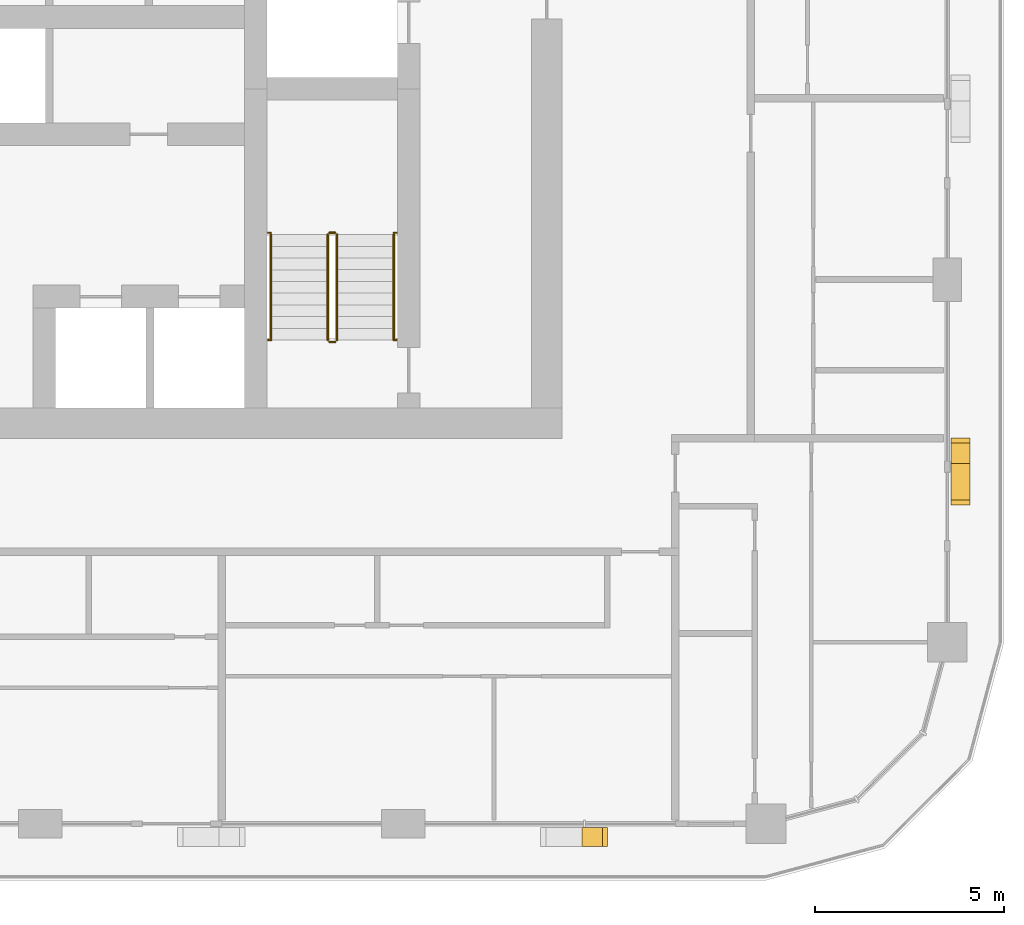
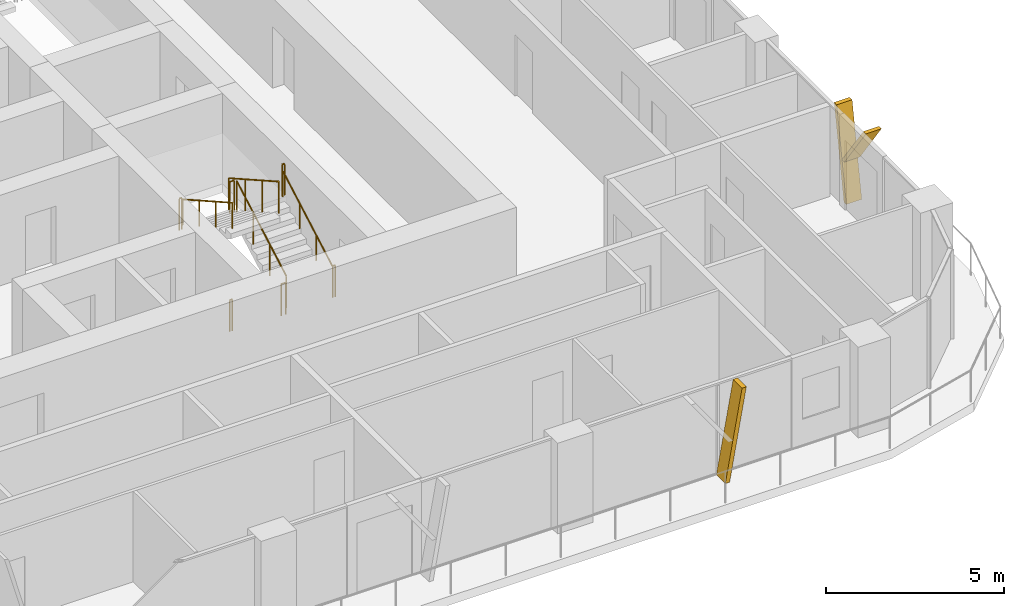
# One storey, part 19 of 22: 10 railings, 3 shading devices.
"""IFC4 building model written with IfcOpenShell, lengths in metres."""

from ifc_helpers import new_model, si_unit, direction, frame, origin, origin_2d, place, context, subcontext, project, spatial, polyline, circle, outline, extrude, material, type_object, element, save


model = new_model("IFC4")

# Units and contexts
model_context = context("Model", 3, precision=1e-05, world=origin(), true_north=direction((0.0, 1.0)))
body_context = subcontext(model_context, "Body", "Model", "MODEL_VIEW")
ifc_project = project(units=[si_unit("LENGTHUNIT", "METRE"), si_unit("AREAUNIT", "SQUARE_METRE"), si_unit("VOLUMEUNIT", "CUBIC_METRE"), si_unit("PLANEANGLEUNIT", "RADIAN"), si_unit("MASSUNIT", "GRAM", prefix="KILO")], contexts=[model_context])

# Site, building, storey
site_placement = place(None, origin())
site = spatial("IfcSite", under=ifc_project, at=site_placement, CompositionType="ELEMENT")
building_placement = place(site_placement, origin())
building = spatial("IfcBuilding", under=site, at=building_placement, Name="Madar Terraces", CompositionType="ELEMENT")
storey_placement = place(building_placement, frame((0.0, 0.0, 140.10009765625)))
storey = spatial("IfcBuildingStorey", under=building, at=storey_placement, Name="L36", CompositionType="ELEMENT", Elevation=140.10009765625)

# Shading devices
ifc_material_1 = material(Name="Aluminium, black anodised", Category="aluminium")
shading_device_type = type_object("IfcShadingDeviceType", Name="Facade fin blade 140 x 500", PredefinedType="USERDEFINED", material=ifc_material_1)
shading_device_1_placement = place(storey_placement, frame((47.929931640625, 4.449951171875, 0.0), z_axis=(0.0, 0.0, 1.0), x_axis=(1.0, 0.0, 0.0)))
element("IfcShadingDevice", 1, at=shading_device_1_placement, inside=storey, type_object=shading_device_type, Name="FIN L36 S5", ObjectType="FIN", PredefinedType="USERDEFINED", context=body_context, shape_type="SweptSolid", body=[
    extrude(outline(polyline([(0.0, 0.0), (0.14013671875, 0.0), (0.68310546875, 3.079833984375), (0.54296875, 3.079833984375), (0.0, 0.0)])), frame((0.0, 0.25, 0.0), z_axis=(0.0, -1.0, 0.0), x_axis=(1.0, 0.0, 0.0)), (0.0, 0.0, 1.0), 0.5),
])
shading_device_2_placement = place(storey_placement, frame((57.949951171875, 14.330078125, 0.0), z_axis=(0.0, 0.0, 1.0), x_axis=(0.0, 1.0, 0.0)))
element("IfcShadingDevice", 2, at=shading_device_2_placement, inside=storey, type_object=shading_device_type, Name="FIN L36 E1", ObjectType="FIN", PredefinedType="USERDEFINED", context=body_context, shape_type="SweptSolid", body=[
    extrude(outline(polyline([(0.0, 0.0), (0.139892578125, 0.0), (0.68310546875, 3.079833984375), (0.54296875, 3.079833984375), (0.0, 0.0)])), frame((0.0, 0.25, 0.0), z_axis=(0.0, -1.0, 0.0), x_axis=(1.0, 0.0, 0.0)), (0.0, 0.0, 1.0), 0.5),
])
shading_device_3_placement = place(storey_placement, frame((57.949951171875, 14.434326171875, 1.385986328125), z_axis=(0.0, 0.0, 1.0), x_axis=(0.0, 1.0, 0.0)))
element("IfcShadingDevice", 3, at=shading_device_3_placement, inside=storey, type_object=shading_device_type, Name="FIN L36 E1 branch", ObjectType="FIN", PredefinedType="USERDEFINED", context=body_context, shape_type="SweptSolid", body=[
    extrude(outline(polyline([(0.0, 0.0), (0.14013671875, 0.0), (-1.061279296875, 1.69384765625), (-1.201416015625, 1.69384765625), (0.0, 0.0)])), frame((0.0, 0.25, 0.0), z_axis=(0.0, -1.0, 0.0), x_axis=(1.0, 0.0, 0.0)), (0.0, 0.0, 1.0), 0.5),
])

# Railings
ifc_material_2 = material(Name="Stainless steel railing", Category="steel")
railing_type_1 = type_object("IfcRailingType", Name="Stair guard 1100", PredefinedType="GUARDRAIL", material=ifc_material_2)
railing_1_placement = place(storey_placement, frame((41.449951171875, 17.60009765625, 0.1748046875)))
element("IfcRailing", 4, at=railing_1_placement, inside=storey, type_object=railing_type_1, Name="L36 ST3 stair guard 1", PredefinedType="GUARDRAIL", context=body_context, shape_type="SweptSolid", body=[
    extrude(circle(Radius=0.02392578125, at=origin_2d()), frame((0.0, 0.0, 1.076171875), z_axis=(0.0, 0.870782738816, 0.491667999549), x_axis=(-1.0, 0.0, 0.0)), (0.0, 0.0, 1.0), 3.203857421875),
    extrude(circle(Radius=0.02099609375, at=origin_2d()), origin(), (0.0, 0.0, 1.0), 1.052001953125),
    extrude(circle(Radius=0.02099609375, at=origin_2d()), frame((0.0, 0.929931640625, 0.525146484375)), (0.0, 0.0, 1.0), 1.052001953125),
    extrude(circle(Radius=0.02099609375, at=origin_2d()), frame((0.0, 1.85986328125, 1.050048828125)), (0.0, 0.0, 1.0), 1.052001953125),
    extrude(circle(Radius=0.02099609375, at=origin_2d()), frame((0.0, 2.789794921875, 1.5751953125)), (0.0, 0.0, 1.0), 1.052001953125),
])
railing_2_placement = place(storey_placement, frame((41.39990234375, 20.43994140625, 1.75)))
element("IfcRailing", 5, at=railing_2_placement, inside=storey, type_object=railing_type_1, Name="L36 ST3 stair guard 2", PredefinedType="GUARDRAIL", context=body_context, shape_type="SweptSolid", body=[
    extrude(circle(Radius=0.02392578125, at=origin_2d()), frame((0.0, 0.0, 1.076171875), z_axis=(-1.0, 0.0, 0.0), x_axis=(0.0, -1.0, 0.0)), (0.0, 0.0, 1.0), 0.14990234375),
    extrude(circle(Radius=0.02099609375, at=origin_2d()), origin(), (0.0, 0.0, 1.0), 1.052001953125),
    extrude(circle(Radius=0.02099609375, at=origin_2d()), frame((-0.14990234375, 0.0, 0.0)), (0.0, 0.0, 1.0), 1.052001953125),
])
railing_3_placement = place(storey_placement, frame((41.199951171875, 20.389892578125, 1.9248046875)))
element("IfcRailing", 6, at=railing_3_placement, inside=storey, type_object=railing_type_1, Name="L36 ST3 stair guard 3", PredefinedType="GUARDRAIL", context=body_context, shape_type="SweptSolid", body=[
    extrude(circle(Radius=0.02392578125, at=origin_2d()), frame((0.0, 0.0, 1.076171875), z_axis=(0.0, -0.870782738816, 0.491667999549), x_axis=(1.0, 0.0, 0.0)), (0.0, 0.0, 1.0), 3.203857421875),
    extrude(circle(Radius=0.02099609375, at=origin_2d()), origin(), (0.0, 0.0, 1.0), 1.052001953125),
    extrude(circle(Radius=0.02099609375, at=origin_2d()), frame((0.0, -0.929931640625, 0.525146484375)), (0.0, 0.0, 1.0), 1.052001953125),
    extrude(circle(Radius=0.02099609375, at=origin_2d()), frame((0.0, -1.85986328125, 1.050048828125)), (0.0, 0.0, 1.0), 1.052001953125),
    extrude(circle(Radius=0.02099609375, at=origin_2d()), frame((0.0, -2.789794921875, 1.5751953125)), (0.0, 0.0, 1.0), 1.052001953125),
])
railing_4_placement = place(storey_placement, frame((41.39990234375, 17.550048828125, 0.0)))
element("IfcRailing", 7, at=railing_4_placement, inside=storey, type_object=railing_type_1, Name="L36 ST3 stair guard 4", PredefinedType="GUARDRAIL", context=body_context, shape_type="SweptSolid", body=[
    extrude(circle(Radius=0.02392578125, at=origin_2d()), frame((0.0, 0.0, 1.076171875), z_axis=(-1.0, 0.0, 0.0), x_axis=(0.0, -1.0, 0.0)), (0.0, 0.0, 1.0), 0.14990234375),
    extrude(circle(Radius=0.02099609375, at=origin_2d()), origin(), (0.0, 0.0, 1.0), 1.052001953125),
    extrude(circle(Radius=0.02099609375, at=origin_2d()), frame((-0.14990234375, 0.0, 0.0)), (0.0, 0.0, 1.0), 1.052001953125),
])
railing_5_placement = place(storey_placement, frame((39.6201171875, 20.43994140625, 1.75)))
element("IfcRailing", 8, at=railing_5_placement, inside=storey, type_object=railing_type_1, Name="L36 stair guard seat 1", PredefinedType="GUARDRAIL", context=body_context, shape_type="SweptSolid", body=[
    extrude(circle(Radius=0.02392578125, at=origin_2d()), frame((0.0, 0.0, 1.076171875), z_axis=(1.0, 0.0, 0.0), x_axis=(0.0, 1.0, 0.0)), (0.0, 0.0, 1.0), 0.079833984375),
    extrude(circle(Radius=0.02099609375, at=origin_2d()), origin(), (0.0, 0.0, 1.0), 1.052001953125),
    extrude(circle(Radius=0.02099609375, at=origin_2d()), frame((0.079833984375, 0.0, 0.0)), (0.0, 0.0, 1.0), 1.052001953125),
])
railing_6_placement = place(storey_placement, frame((42.949951171875, 20.43994140625, 1.75)))
element("IfcRailing", 9, at=railing_6_placement, inside=storey, type_object=railing_type_1, Name="L36 stair guard seat 2", PredefinedType="GUARDRAIL", context=body_context, shape_type="SweptSolid", body=[
    extrude(circle(Radius=0.02392578125, at=origin_2d()), frame((0.0, 0.0, 1.076171875), z_axis=(1.0, 0.0, 0.0), x_axis=(0.0, 1.0, 0.0)), (0.0, 0.0, 1.0), 0.080078125),
    extrude(circle(Radius=0.02099609375, at=origin_2d()), origin(), (0.0, 0.0, 1.0), 1.052001953125),
    extrude(circle(Radius=0.02099609375, at=origin_2d()), frame((0.080078125, 0.0, 0.0)), (0.0, 0.0, 1.0), 1.052001953125),
])
railing_7_placement = place(storey_placement, frame((39.6201171875, 17.60009765625, 0.0)))
element("IfcRailing", 10, at=railing_7_placement, inside=storey, type_object=railing_type_1, Name="L36 stair guard floor 1", PredefinedType="GUARDRAIL", context=body_context, shape_type="SweptSolid", body=[
    extrude(circle(Radius=0.02392578125, at=origin_2d()), frame((0.0, 0.0, 1.076171875), z_axis=(1.0, 0.0, 0.0), x_axis=(0.0, 1.0, 0.0)), (0.0, 0.0, 1.0), 0.079833984375),
    extrude(circle(Radius=0.02099609375, at=origin_2d()), origin(), (0.0, 0.0, 1.0), 1.052001953125),
    extrude(circle(Radius=0.02099609375, at=origin_2d()), frame((0.079833984375, 0.0, 0.0)), (0.0, 0.0, 1.0), 1.052001953125),
])
railing_8_placement = place(storey_placement, frame((42.949951171875, 17.60009765625, 0.0)))
element("IfcRailing", 11, at=railing_8_placement, inside=storey, type_object=railing_type_1, Name="L36 stair guard floor 2", PredefinedType="GUARDRAIL", context=body_context, shape_type="SweptSolid", body=[
    extrude(circle(Radius=0.02392578125, at=origin_2d()), frame((0.0, 0.0, 1.076171875), z_axis=(1.0, 0.0, 0.0), x_axis=(0.0, 1.0, 0.0)), (0.0, 0.0, 1.0), 0.080078125),
    extrude(circle(Radius=0.02099609375, at=origin_2d()), origin(), (0.0, 0.0, 1.0), 1.052001953125),
    extrude(circle(Radius=0.02099609375, at=origin_2d()), frame((0.080078125, 0.0, 0.0)), (0.0, 0.0, 1.0), 1.052001953125),
])
ifc_material_3 = material(Name="Stainless steel railing", Category="steel")
railing_type_2 = type_object("IfcRailingType", Name="Stair handrail 900", PredefinedType="HANDRAIL", material=ifc_material_3)
railing_9_placement = place(storey_placement, frame((42.949951171875, 17.60009765625, 0.1748046875)))
element("IfcRailing", 12, at=railing_9_placement, inside=storey, type_object=railing_type_2, Name="L36 ST3 stair handrail 1", PredefinedType="HANDRAIL", context=body_context, shape_type="SweptSolid", body=[
    extrude(circle(Radius=0.02392578125, at=origin_2d()), frame((0.0, 0.0, 0.8759765625), z_axis=(0.0, 0.870782738816, 0.491667999549), x_axis=(-1.0, 0.0, 0.0)), (0.0, 0.0, 1.0), 3.203857421875),
    extrude(circle(Radius=0.02099609375, at=origin_2d()), origin(), (0.0, 0.0, 1.0), 0.851806640625),
    extrude(circle(Radius=0.02099609375, at=origin_2d()), frame((0.0, 0.929931640625, 0.525146484375)), (0.0, 0.0, 1.0), 0.851806640625),
    extrude(circle(Radius=0.02099609375, at=origin_2d()), frame((0.0, 1.85986328125, 1.050048828125)), (0.0, 0.0, 1.0), 0.851806640625),
    extrude(circle(Radius=0.02099609375, at=origin_2d()), frame((0.0, 2.789794921875, 1.5751953125)), (0.0, 0.0, 1.0), 0.851806640625),
])
railing_10_placement = place(storey_placement, frame((39.699951171875, 20.389892578125, 1.9248046875)))
element("IfcRailing", 13, at=railing_10_placement, inside=storey, type_object=railing_type_2, Name="L36 ST3 stair handrail 2", PredefinedType="HANDRAIL", context=body_context, shape_type="SweptSolid", body=[
    extrude(circle(Radius=0.02392578125, at=origin_2d()), frame((0.0, 0.0, 0.8759765625), z_axis=(0.0, -0.870782738816, 0.491667999549), x_axis=(1.0, 0.0, 0.0)), (0.0, 0.0, 1.0), 3.203857421875),
    extrude(circle(Radius=0.02099609375, at=origin_2d()), origin(), (0.0, 0.0, 1.0), 0.851806640625),
    extrude(circle(Radius=0.02099609375, at=origin_2d()), frame((0.0, -0.929931640625, 0.525146484375)), (0.0, 0.0, 1.0), 0.851806640625),
    extrude(circle(Radius=0.02099609375, at=origin_2d()), frame((0.0, -1.85986328125, 1.050048828125)), (0.0, 0.0, 1.0), 0.851806640625),
    extrude(circle(Radius=0.02099609375, at=origin_2d()), frame((0.0, -2.789794921875, 1.5751953125)), (0.0, 0.0, 1.0), 0.851806640625),
])

save(model, "model.ifc")
